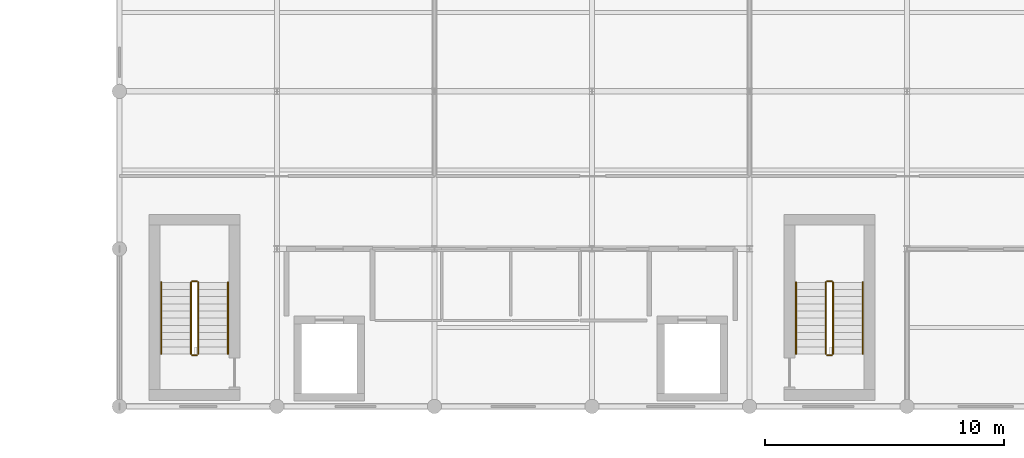
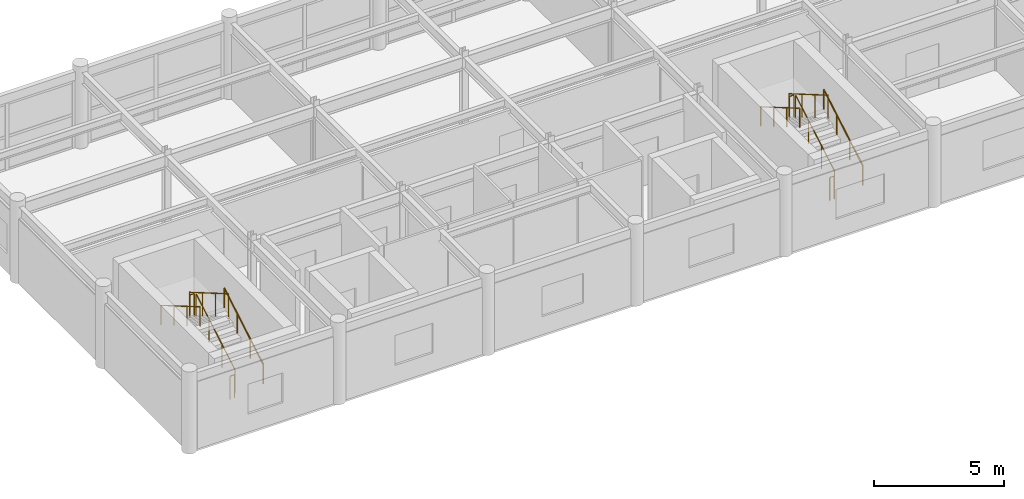
# One storey, part 27 of 28: 12 railings.
"""IFC4 building model written with IfcOpenShell, lengths in metres."""

from ifc_helpers import new_model, si_unit, direction, frame, origin, origin_2d, place, context, subcontext, project, spatial, circle, extrude, material, type_object, element, save


model = new_model("IFC4")

# Units and contexts
model_context = context("Model", 3, precision=1e-05, world=origin(), true_north=direction((0.0, 1.0)))
body_context = subcontext(model_context, "Body", "Model", "MODEL_VIEW")
ifc_project = project(units=[si_unit("LENGTHUNIT", "METRE"), si_unit("AREAUNIT", "SQUARE_METRE"), si_unit("VOLUMEUNIT", "CUBIC_METRE"), si_unit("PLANEANGLEUNIT", "RADIAN"), si_unit("MASSUNIT", "GRAM", prefix="KILO")], contexts=[model_context])

# Site, building, storey
site_placement = place(None, origin())
site = spatial("IfcSite", under=ifc_project, at=site_placement, CompositionType="ELEMENT")
building_placement = place(site_placement, origin())
building = spatial("IfcBuilding", under=site, at=building_placement, Name="Karori Crest Natural Sciences Institute", CompositionType="ELEMENT")
storey_placement = place(building_placement, frame((0.0, 0.0, 34.300048828125)))
storey = spatial("IfcBuildingStorey", under=building, at=storey_placement, Name="L08", CompositionType="ELEMENT", Elevation=34.300048828125)

# Railings
ifc_material_1 = material(Name="Stainless steel 316 tubular handrail", Category="steel")
railing_type_1 = type_object("IfcRailingType", Name="RLT-HND", PredefinedType="HANDRAIL", material=ifc_material_1)
railing_1_placement = place(storey_placement, frame((108.14990234375, 3.0, 0.175048828125)))
element("IfcRailing", 1, at=railing_1_placement, inside=storey, type_object=railing_type_1, Name="Stair handrail RL-0151", PredefinedType="HANDRAIL", context=body_context, shape_type="SweptSolid", body=[
    extrude(circle(Radius=0.02392578125, at=origin_2d()), frame((0.0, 0.0, 0.90087890625), z_axis=(0.0, 0.863778900898, 0.503871025524), x_axis=(-1.0, 0.0, 0.0)), (0.0, 0.0, 1.0), 3.47314453125),
    extrude(circle(Radius=0.02099609375, at=origin_2d()), origin(), (0.0, 0.0, 1.0), 0.876953125),
    extrude(circle(Radius=0.02099609375, at=origin_2d()), frame((0.0, 1.0, 0.583251953125)), (0.0, 0.0, 1.0), 0.876953125),
    extrude(circle(Radius=0.02099609375, at=origin_2d()), frame((0.0, 2.0, 1.166748046875)), (0.0, 0.0, 1.0), 0.876953125),
    extrude(circle(Radius=0.02099609375, at=origin_2d()), frame((0.0, 3.0, 1.75)), (0.0, 0.0, 1.0), 0.876953125),
])
railing_2_placement = place(storey_placement, frame((105.35009765625, 6.0, 2.099853515625)))
element("IfcRailing", 2, at=railing_2_placement, inside=storey, type_object=railing_type_1, Name="Stair handrail RL-0152", PredefinedType="HANDRAIL", context=body_context, shape_type="SweptSolid", body=[
    extrude(circle(Radius=0.02392578125, at=origin_2d()), frame((0.0, 0.0, 0.90087890625), z_axis=(0.0, -0.863778900898, 0.503871025524), x_axis=(1.0, 0.0, 0.0)), (0.0, 0.0, 1.0), 3.47314453125),
    extrude(circle(Radius=0.02099609375, at=origin_2d()), origin(), (0.0, 0.0, 1.0), 0.876953125),
    extrude(circle(Radius=0.02099609375, at=origin_2d()), frame((0.0, -1.0, 0.583251953125)), (0.0, 0.0, 1.0), 0.876953125),
    extrude(circle(Radius=0.02099609375, at=origin_2d()), frame((0.0, -2.0, 1.166748046875)), (0.0, 0.0, 1.0), 0.876953125),
    extrude(circle(Radius=0.02099609375, at=origin_2d()), frame((0.0, -3.0, 1.75)), (0.0, 0.0, 1.0), 0.876953125),
])
railing_3_placement = place(storey_placement, frame((134.75, 3.0, 0.175048828125)))
element("IfcRailing", 3, at=railing_3_placement, inside=storey, type_object=railing_type_1, Name="Stair handrail RL-0218", PredefinedType="HANDRAIL", context=body_context, shape_type="SweptSolid", body=[
    extrude(circle(Radius=0.02392578125, at=origin_2d()), frame((0.0, 0.0, 0.90087890625), z_axis=(0.0, 0.863778900898, 0.503871025524), x_axis=(-1.0, 0.0, 0.0)), (0.0, 0.0, 1.0), 3.47314453125),
    extrude(circle(Radius=0.02099609375, at=origin_2d()), origin(), (0.0, 0.0, 1.0), 0.876953125),
    extrude(circle(Radius=0.02099609375, at=origin_2d()), frame((0.0, 1.0, 0.583251953125)), (0.0, 0.0, 1.0), 0.876953125),
    extrude(circle(Radius=0.02099609375, at=origin_2d()), frame((0.0, 2.0, 1.166748046875)), (0.0, 0.0, 1.0), 0.876953125),
    extrude(circle(Radius=0.02099609375, at=origin_2d()), frame((0.0, 3.0, 1.75)), (0.0, 0.0, 1.0), 0.876953125),
])
railing_4_placement = place(storey_placement, frame((131.949951171875, 6.0, 2.099853515625)))
element("IfcRailing", 4, at=railing_4_placement, inside=storey, type_object=railing_type_1, Name="Stair handrail RL-0219", PredefinedType="HANDRAIL", context=body_context, shape_type="SweptSolid", body=[
    extrude(circle(Radius=0.02392578125, at=origin_2d()), frame((0.0, 0.0, 0.90087890625), z_axis=(0.0, -0.863778900898, 0.503871025524), x_axis=(1.0, 0.0, 0.0)), (0.0, 0.0, 1.0), 3.47314453125),
    extrude(circle(Radius=0.02099609375, at=origin_2d()), origin(), (0.0, 0.0, 1.0), 0.876953125),
    extrude(circle(Radius=0.02099609375, at=origin_2d()), frame((0.0, -1.0, 0.583251953125)), (0.0, 0.0, 1.0), 0.876953125),
    extrude(circle(Radius=0.02099609375, at=origin_2d()), frame((0.0, -2.0, 1.166748046875)), (0.0, 0.0, 1.0), 0.876953125),
    extrude(circle(Radius=0.02099609375, at=origin_2d()), frame((0.0, -3.0, 1.75)), (0.0, 0.0, 1.0), 0.876953125),
])
ifc_material_2 = material(Name="Stainless steel 316 stair guard", Category="steel")
railing_type_2 = type_object("IfcRailingType", Name="RLT-STG", PredefinedType="GUARDRAIL", material=ifc_material_2)
railing_5_placement = place(storey_placement, frame((106.89990234375, 3.0, 0.175048828125)))
element("IfcRailing", 5, at=railing_5_placement, inside=storey, type_object=railing_type_2, Name="Stair guard RL-0147", PredefinedType="GUARDRAIL", context=body_context, shape_type="SweptSolid", body=[
    extrude(circle(Radius=0.02392578125, at=origin_2d()), frame((0.0, 0.0, 1.076171875), z_axis=(0.0, 0.863778900898, 0.503871025524), x_axis=(-1.0, 0.0, 0.0)), (0.0, 0.0, 1.0), 3.47314453125),
    extrude(circle(Radius=0.02099609375, at=origin_2d()), origin(), (0.0, 0.0, 1.0), 1.052001953125),
    extrude(circle(Radius=0.02099609375, at=origin_2d()), frame((0.0, 1.0, 0.583251953125)), (0.0, 0.0, 1.0), 1.052001953125),
    extrude(circle(Radius=0.02099609375, at=origin_2d()), frame((0.0, 2.0, 1.166748046875)), (0.0, 0.0, 1.0), 1.052001953125),
    extrude(circle(Radius=0.02099609375, at=origin_2d()), frame((0.0, 3.0, 1.75)), (0.0, 0.0, 1.0), 1.052001953125),
])
railing_6_placement = place(storey_placement, frame((106.85009765625, 6.050048828125, 1.925048828125)))
element("IfcRailing", 6, at=railing_6_placement, inside=storey, type_object=railing_type_2, Name="Stair guard RL-0148", PredefinedType="GUARDRAIL", context=body_context, shape_type="SweptSolid", body=[
    extrude(circle(Radius=0.02392578125, at=origin_2d()), frame((0.0, 0.0, 1.076171875), z_axis=(-1.0, 0.0, 0.0), x_axis=(0.0, -1.0, 0.0)), (0.0, 0.0, 1.0), 0.2001953125),
    extrude(circle(Radius=0.02099609375, at=origin_2d()), origin(), (0.0, 0.0, 1.0), 1.052001953125),
    extrude(circle(Radius=0.02099609375, at=origin_2d()), frame((-0.2001953125, 0.0, 0.0)), (0.0, 0.0, 1.0), 1.052001953125),
])
railing_7_placement = place(storey_placement, frame((106.60009765625, 6.0, 2.099853515625)))
element("IfcRailing", 7, at=railing_7_placement, inside=storey, type_object=railing_type_2, Name="Stair guard RL-0149", PredefinedType="GUARDRAIL", context=body_context, shape_type="SweptSolid", body=[
    extrude(circle(Radius=0.02392578125, at=origin_2d()), frame((0.0, 0.0, 1.076171875), z_axis=(0.0, -0.863778900898, 0.503871025524), x_axis=(1.0, 0.0, 0.0)), (0.0, 0.0, 1.0), 3.47314453125),
    extrude(circle(Radius=0.02099609375, at=origin_2d()), origin(), (0.0, 0.0, 1.0), 1.052001953125),
    extrude(circle(Radius=0.02099609375, at=origin_2d()), frame((0.0, -1.0, 0.583251953125)), (0.0, 0.0, 1.0), 1.052001953125),
    extrude(circle(Radius=0.02099609375, at=origin_2d()), frame((0.0, -2.0, 1.166748046875)), (0.0, 0.0, 1.0), 1.052001953125),
    extrude(circle(Radius=0.02099609375, at=origin_2d()), frame((0.0, -3.0, 1.75)), (0.0, 0.0, 1.0), 1.052001953125),
])
railing_8_placement = place(storey_placement, frame((106.85009765625, 2.949951171875, 0.0)))
element("IfcRailing", 8, at=railing_8_placement, inside=storey, type_object=railing_type_2, Name="Stair guard RL-0150", PredefinedType="GUARDRAIL", context=body_context, shape_type="SweptSolid", body=[
    extrude(circle(Radius=0.02392578125, at=origin_2d()), frame((0.0, 0.0, 1.076171875), z_axis=(-1.0, 0.0, 0.0), x_axis=(0.0, -1.0, 0.0)), (0.0, 0.0, 1.0), 0.2001953125),
    extrude(circle(Radius=0.02099609375, at=origin_2d()), origin(), (0.0, 0.0, 1.0), 1.052001953125),
    extrude(circle(Radius=0.02099609375, at=origin_2d()), frame((-0.2001953125, 0.0, 0.0)), (0.0, 0.0, 1.0), 1.052001953125),
])
railing_9_placement = place(storey_placement, frame((133.5, 3.0, 0.175048828125)))
element("IfcRailing", 9, at=railing_9_placement, inside=storey, type_object=railing_type_2, Name="Stair guard RL-0214", PredefinedType="GUARDRAIL", context=body_context, shape_type="SweptSolid", body=[
    extrude(circle(Radius=0.02392578125, at=origin_2d()), frame((0.0, 0.0, 1.076171875), z_axis=(0.0, 0.863778900898, 0.503871025524), x_axis=(-1.0, 0.0, 0.0)), (0.0, 0.0, 1.0), 3.47314453125),
    extrude(circle(Radius=0.02099609375, at=origin_2d()), origin(), (0.0, 0.0, 1.0), 1.052001953125),
    extrude(circle(Radius=0.02099609375, at=origin_2d()), frame((0.0, 1.0, 0.583251953125)), (0.0, 0.0, 1.0), 1.052001953125),
    extrude(circle(Radius=0.02099609375, at=origin_2d()), frame((0.0, 2.0, 1.166748046875)), (0.0, 0.0, 1.0), 1.052001953125),
    extrude(circle(Radius=0.02099609375, at=origin_2d()), frame((0.0, 3.0, 1.75)), (0.0, 0.0, 1.0), 1.052001953125),
])
railing_10_placement = place(storey_placement, frame((133.449951171875, 6.050048828125, 1.925048828125)))
element("IfcRailing", 10, at=railing_10_placement, inside=storey, type_object=railing_type_2, Name="Stair guard RL-0215", PredefinedType="GUARDRAIL", context=body_context, shape_type="SweptSolid", body=[
    extrude(circle(Radius=0.02392578125, at=origin_2d()), frame((0.0, 0.0, 1.076171875), z_axis=(-1.0, 0.0, 0.0), x_axis=(0.0, -1.0, 0.0)), (0.0, 0.0, 1.0), 0.199951171875),
    extrude(circle(Radius=0.02099609375, at=origin_2d()), origin(), (0.0, 0.0, 1.0), 1.052001953125),
    extrude(circle(Radius=0.02099609375, at=origin_2d()), frame((-0.199951171875, 0.0, 0.0)), (0.0, 0.0, 1.0), 1.052001953125),
])
railing_11_placement = place(storey_placement, frame((133.199951171875, 6.0, 2.099853515625)))
element("IfcRailing", 11, at=railing_11_placement, inside=storey, type_object=railing_type_2, Name="Stair guard RL-0216", PredefinedType="GUARDRAIL", context=body_context, shape_type="SweptSolid", body=[
    extrude(circle(Radius=0.02392578125, at=origin_2d()), frame((0.0, 0.0, 1.076171875), z_axis=(0.0, -0.863778900898, 0.503871025524), x_axis=(1.0, 0.0, 0.0)), (0.0, 0.0, 1.0), 3.47314453125),
    extrude(circle(Radius=0.02099609375, at=origin_2d()), origin(), (0.0, 0.0, 1.0), 1.052001953125),
    extrude(circle(Radius=0.02099609375, at=origin_2d()), frame((0.0, -1.0, 0.583251953125)), (0.0, 0.0, 1.0), 1.052001953125),
    extrude(circle(Radius=0.02099609375, at=origin_2d()), frame((0.0, -2.0, 1.166748046875)), (0.0, 0.0, 1.0), 1.052001953125),
    extrude(circle(Radius=0.02099609375, at=origin_2d()), frame((0.0, -3.0, 1.75)), (0.0, 0.0, 1.0), 1.052001953125),
])
railing_12_placement = place(storey_placement, frame((133.449951171875, 2.949951171875, 0.0)))
element("IfcRailing", 12, at=railing_12_placement, inside=storey, type_object=railing_type_2, Name="Stair guard RL-0217", PredefinedType="GUARDRAIL", context=body_context, shape_type="SweptSolid", body=[
    extrude(circle(Radius=0.02392578125, at=origin_2d()), frame((0.0, 0.0, 1.076171875), z_axis=(-1.0, 0.0, 0.0), x_axis=(0.0, -1.0, 0.0)), (0.0, 0.0, 1.0), 0.199951171875),
    extrude(circle(Radius=0.02099609375, at=origin_2d()), origin(), (0.0, 0.0, 1.0), 1.052001953125),
    extrude(circle(Radius=0.02099609375, at=origin_2d()), frame((-0.199951171875, 0.0, 0.0)), (0.0, 0.0, 1.0), 1.052001953125),
])

save(model, "model.ifc")
